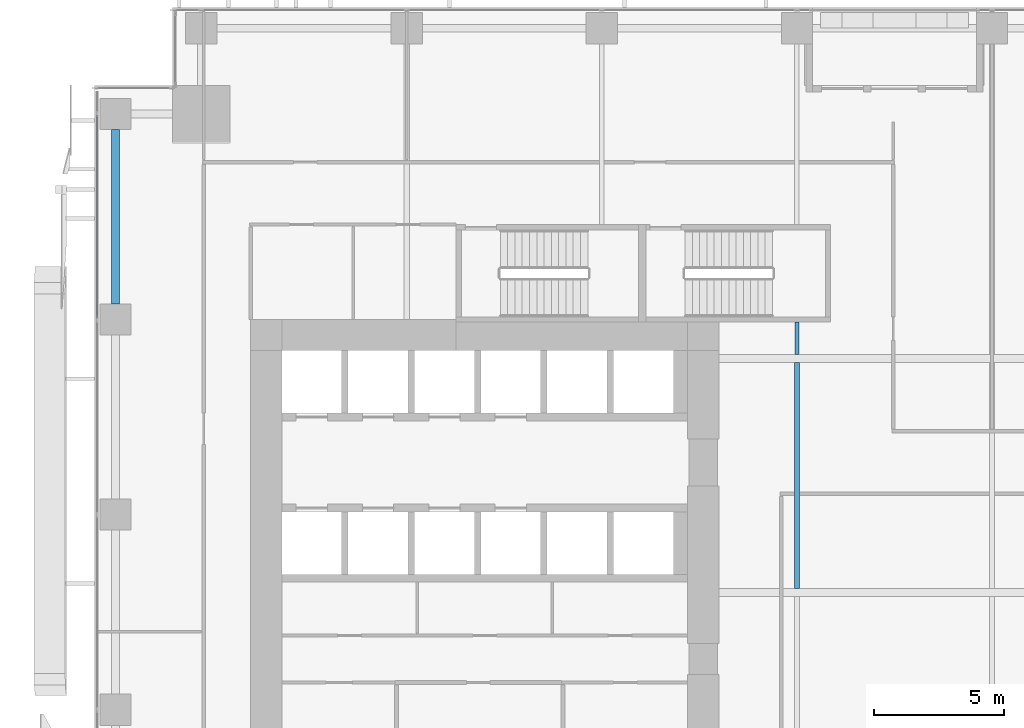
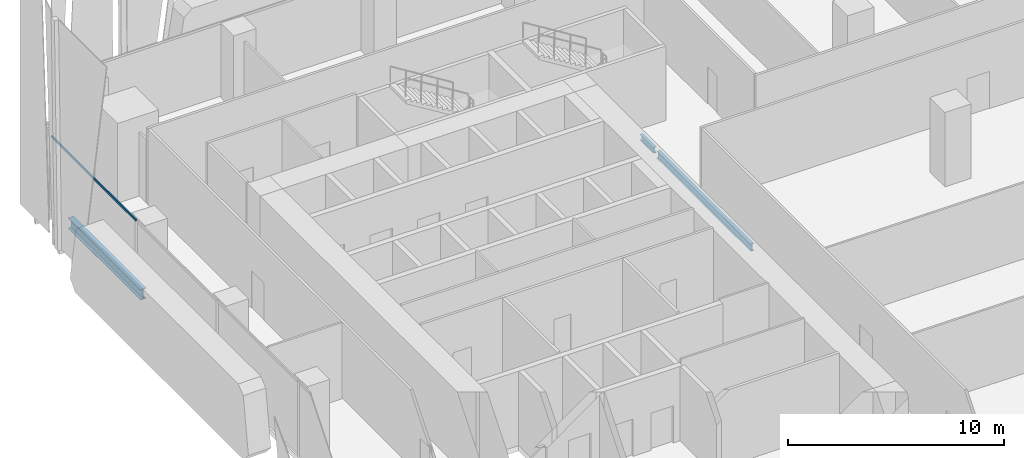
# One storey, part 13 of 36: 3 beams, 1 member, 1 element without a shape of its own.
"""IFC4 building model written with IfcOpenShell, lengths in metres."""

from ifc_helpers import new_model, si_unit, direction, frame, origin, origin_2d, place, context, subcontext, project, spatial, hollow_rectangle, i_section, extrude, source, transform, mapped, material, material_profile, profile_set, type_object, element, aggregate, save


model = new_model("IFC4")

# Units and contexts
model_context = context("Model", 3, precision=1e-05, world=origin(), true_north=direction((0.0, 1.0)))
body_context = subcontext(model_context, "Body", "Model", "MODEL_VIEW")
ifc_project = project(units=[si_unit("LENGTHUNIT", "METRE"), si_unit("AREAUNIT", "SQUARE_METRE"), si_unit("VOLUMEUNIT", "CUBIC_METRE"), si_unit("PLANEANGLEUNIT", "RADIAN"), si_unit("MASSUNIT", "GRAM", prefix="KILO")], contexts=[model_context])

# Site, building, storey
site_placement = place(None, origin())
site = spatial("IfcSite", under=ifc_project, at=site_placement, CompositionType="ELEMENT")
building_placement = place(site_placement, origin())
building = spatial("IfcBuilding", under=site, at=building_placement, Name="Khomas Fold Tower", CompositionType="ELEMENT")
storey_placement = place(building_placement, frame((0.0, 0.0, 46.5)))
storey = spatial("IfcBuildingStorey", under=building, at=storey_placement, Name="L09", CompositionType="ELEMENT", Elevation=46.5)

# Beams
ifc_material_1 = material(Name="Steel S355", Category="steel")
ifc_material_profile_1 = material_profile(ifc_material_1, i_section(OverallWidth=0.179931640625, OverallDepth=0.39990234375, WebThickness=0.008544921875, FlangeThickness=0.013427734375, at=origin_2d()), Name="IPE 400")
ifc_profile_set_1 = profile_set([ifc_material_profile_1], Name="Steel S355")
beam_type_1 = type_object("IfcBeamType", Name="IPE 400 beam JB3", PredefinedType="BEAM", material=ifc_profile_set_1)
shared_shape_1 = source(origin(), body_context, "Body", "SweptSolid", [
    extrude(i_section(OverallWidth=0.179931640625, OverallDepth=0.39990234375, WebThickness=0.008544921875, FlangeThickness=0.013427734375, at=origin_2d()), origin(), (0.0, 0.0, 1.0), 8.7001953125),
])
beam_1_placement = place(storey_placement, frame((27.0, 31.64990234375, -0.5), z_axis=(0.0, 1.0, 0.0), x_axis=(-1.0, 0.0, 0.0)))
element("IfcBeam", 1, at=beam_1_placement, inside=storey, type_object=beam_type_1, Name="JB3", PredefinedType="BEAM", context=body_context, shape_type="MappedRepresentation", body=[
    mapped(shared_shape_1, transform((0.0, 0.0, 0.0))),
])
ifc_material_2 = material(Name="Steel S355", Category="steel")
ifc_material_profile_2 = material_profile(ifc_material_2, i_section(OverallWidth=0.300048828125, OverallDepth=0.60009765625, WebThickness=0.015380859375, FlangeThickness=0.030029296875, at=origin_2d()), Name="HE 600 B")
ifc_profile_set_2 = profile_set([ifc_material_profile_2], Name="Steel S355")
beam_type_2 = type_object("IfcBeamType", Name="HE 600 B spandrel SB1", PredefinedType="SPANDREL", material=ifc_profile_set_2)
shared_shape_2 = source(origin(), body_context, "Body", "SweptSolid", [
    extrude(i_section(OverallWidth=0.300048828125, OverallDepth=0.60009765625, WebThickness=0.015380859375, FlangeThickness=0.030029296875, at=origin_2d()), origin(), (0.0, 0.0, 1.0), 6.699951171875),
])
beam_2_placement = place(storey_placement, frame((0.800048828125, 42.60009765625, -0.60009765625), z_axis=(0.0, 1.0, 0.0), x_axis=(-1.0, 0.0, 0.0)))
element("IfcBeam", 2, at=beam_2_placement, inside=storey, type_object=beam_type_2, Name="SB1", PredefinedType="SPANDREL", context=body_context, shape_type="MappedRepresentation", body=[
    mapped(shared_shape_2, transform((0.0, 0.0, 0.0))),
])
ifc_material_3 = material(Name="Steel S355", Category="steel")
ifc_material_profile_3 = material_profile(ifc_material_3, i_section(OverallWidth=0.159912109375, OverallDepth=0.330078125, WebThickness=0.007568359375, FlangeThickness=0.011474609375, at=origin_2d()), Name="IPE 330")
ifc_profile_set_3 = profile_set([ifc_material_profile_3], Name="Steel S355")
beam_type_3 = type_object("IfcBeamType", Name="IPE 330 beam JB1", PredefinedType="BEAM", material=ifc_profile_set_3)
shared_shape_3 = source(origin(), body_context, "Body", "SweptSolid", [
    extrude(i_section(OverallWidth=0.159912109375, OverallDepth=0.330078125, WebThickness=0.007568359375, FlangeThickness=0.011474609375, at=origin_2d()), origin(), (0.0, 0.0, 1.0), 1.25),
])
beam_3_placement = place(storey_placement, frame((27.0, 40.64990234375, -0.465087890625), z_axis=(0.0, 1.0, 0.0), x_axis=(-1.0, 0.0, 0.0)))
element("IfcBeam", 3, at=beam_3_placement, inside=storey, type_object=beam_type_3, Name="JB1", PredefinedType="BEAM", context=body_context, shape_type="MappedRepresentation", body=[
    mapped(shared_shape_3, transform((0.0, 0.0, 0.0))),
])

# Curtain wall, member
ifc_material_4 = material(Name="Aluminium framed double glazing", Category="aluminium")
curtain_wall_type = type_object("IfcCurtainWallType", Name="SK-Unitised clear-glass wall, growing floors CW1", PredefinedType="NOTDEFINED", material=ifc_material_4)
curtain_wall_placement = place(storey_placement, origin())
curtain_wall = element("IfcCurtainWall", 4, at=curtain_wall_placement, inside=storey, type_object=curtain_wall_type, Name="CW1 run L09 09-0", PredefinedType="NOTDEFINED")
ifc_material_5 = material(Name="Aluminium", Category="aluminium")
ifc_material_profile_4 = material_profile(ifc_material_5, hollow_rectangle(XDim=0.06005859375, YDim=0.1201171875, WallThickness=0.00390625, at=origin_2d()), Name="SK-Unitised clear-glass wall, growing floors transom CW1-T")
ifc_profile_set_4 = profile_set([ifc_material_profile_4], Name="Aluminium")
member_type = type_object("IfcMemberType", Name="SK-Unitised clear-glass wall, growing floors transom CW1-T", PredefinedType="USERDEFINED", material=ifc_profile_set_4)
shared_shape_4 = source(origin(), body_context, "Body", "SweptSolid", [
    extrude(hollow_rectangle(XDim=0.06005859375, YDim=0.1201171875, WallThickness=0.00390625, at=origin_2d()), origin(), (0.0, 0.0, 1.0), 7.840087890625),
])
member_placement = place(storey_placement, frame((0.10009765625, 49.8701171875, 4.139892578125), z_axis=(0.0, -1.0, 0.0), x_axis=(1.0, 0.0, 0.0)))
member = element("IfcMember", 5, at=member_placement, type_object=member_type, Name="CW1 transom 2", ObjectType="TRANSOM", PredefinedType="USERDEFINED", context=body_context, shape_type="MappedRepresentation", body=[
    mapped(shared_shape_4, transform((0.0, 0.0, 0.0))),
])
aggregate(curtain_wall, [member])

save(model, "model.ifc")
